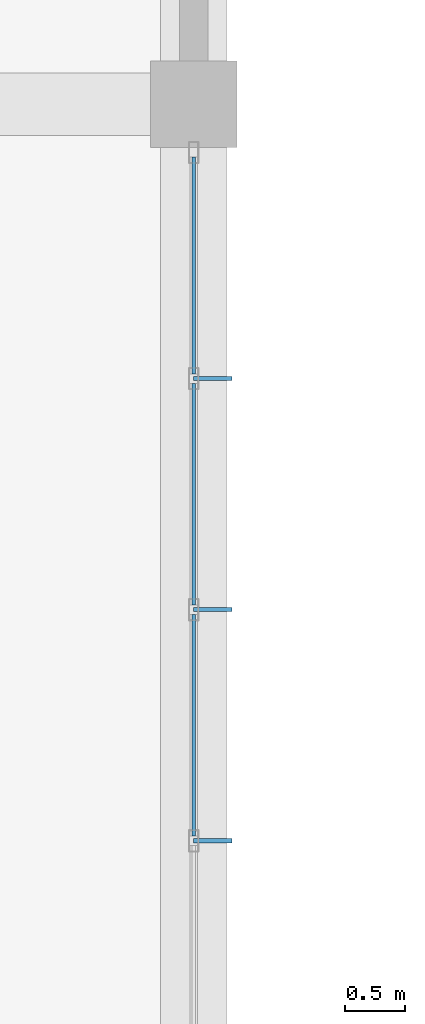
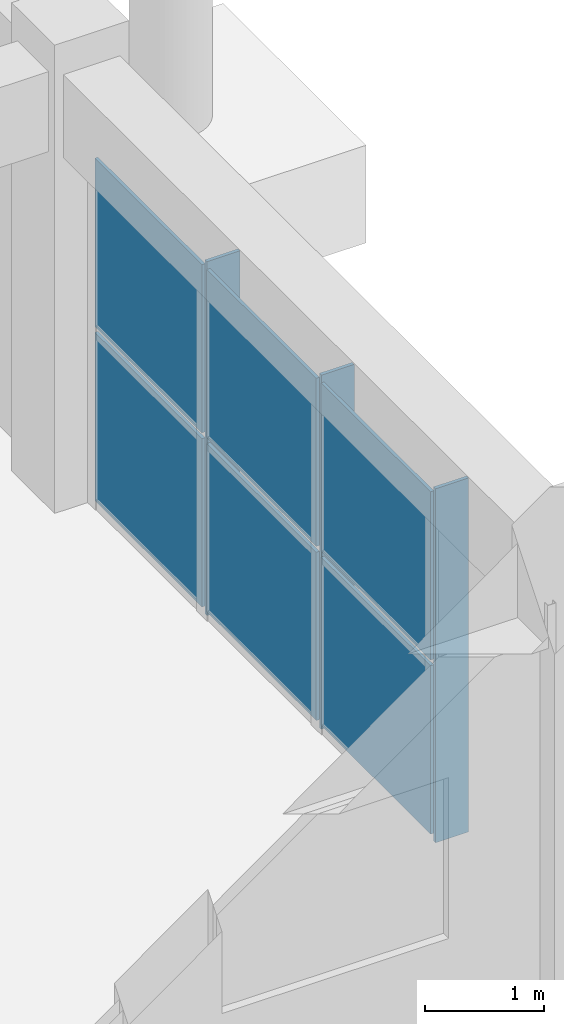
# One storey, part 114 of 139: 9 plates, 1 element without a shape of its own.
"""IFC4 building model written with IfcOpenShell, lengths in metres."""

from ifc_helpers import new_model, si_unit, direction, frame, origin, origin_2d, place, context, subcontext, project, spatial, polyline, rectangle, outline, extrude, material, layer, layer_set, type_object, element, aggregate, save


model = new_model("IFC4")

# Units and contexts
model_context = context("Model", 3, precision=1e-05, world=origin(), true_north=direction((0.0, 1.0)))
body_context = subcontext(model_context, "Body", "Model", "MODEL_VIEW")
ifc_project = project(units=[si_unit("LENGTHUNIT", "METRE"), si_unit("AREAUNIT", "SQUARE_METRE"), si_unit("VOLUMEUNIT", "CUBIC_METRE"), si_unit("PLANEANGLEUNIT", "RADIAN"), si_unit("MASSUNIT", "GRAM", prefix="KILO")], contexts=[model_context])

# Site, building, storey
site_placement = place(None, origin())
site = spatial("IfcSite", under=ifc_project, at=site_placement, CompositionType="ELEMENT")
building_placement = place(site_placement, origin())
building = spatial("IfcBuilding", under=site, at=building_placement, Name="Zizhar Promenade General Hospital", CompositionType="ELEMENT")
storey_placement = place(building_placement, origin())
storey = spatial("IfcBuildingStorey", under=building, at=storey_placement, Name="L00", CompositionType="ELEMENT", Elevation=0.0)

# Curtain wall, plates
ifc_material_1 = material(Name="Anodised aluminium 6063-T6 and low-E glass", Category="aluminium")
ifc_layer_1 = layer(ifc_material_1, 0.159912109375)
ifc_layer_set_1 = layer_set([ifc_layer_1], Name="Anodised aluminium 6063-T6 and low-E glass")
curtain_wall_type = type_object("IfcCurtainWallType", Name="CW-CLN-EXT", PredefinedType="NOTDEFINED", material=ifc_layer_set_1)
curtain_wall_placement = place(storey_placement, origin())
curtain_wall = element("IfcCurtainWall", 1, at=curtain_wall_placement, inside=storey, type_object=curtain_wall_type, Name="Outpatient East Curtain Wall L00-5", PredefinedType="NOTDEFINED")
ifc_material_2 = material(Name="Low-E solar-control glass", Category="glass")
ifc_layer_2 = layer(ifc_material_2, 0.031982421875)
ifc_layer_set_2 = layer_set([ifc_layer_2], Name="Low-E solar-control glass")
plate_type_1 = type_object("IfcPlateType", Name="CWP-GLZ-32", PredefinedType="CURTAIN_PANEL", material=ifc_layer_set_2)
plate_1_placement = place(storey_placement, frame((195.0, 49.06005859375, 0.06005859375), z_axis=(0.0, 0.0, 1.0), x_axis=(0.0, -1.0, 0.0)))
plate_1 = element("IfcPlate", 2, at=plate_1_placement, type_object=plate_type_1, Name="CW-09 panel 1.1", PredefinedType="CURTAIN_PANEL", context=body_context, shape_type="SweptSolid", body=[
    extrude(rectangle(XDim=1.800048828125, YDim=0.031982421875, at=origin_2d()), origin(), (0.0, 0.0, 1.0), 1.72509765625),
])
plate_2_placement = place(storey_placement, frame((195.0, 49.06005859375, 1.844970703125), z_axis=(0.0, 0.0, 1.0), x_axis=(0.0, -1.0, 0.0)))
plate_2 = element("IfcPlate", 3, at=plate_2_placement, type_object=plate_type_1, Name="CW-09 panel 1.2", PredefinedType="CURTAIN_PANEL", context=body_context, shape_type="SweptSolid", body=[
    extrude(rectangle(XDim=1.800048828125, YDim=0.031982421875, at=origin_2d()), origin(), (0.0, 0.0, 1.0), 1.72509765625),
])
plate_3_placement = place(storey_placement, frame((195.0, 47.159912109375, 0.06005859375), z_axis=(0.0, 0.0, 1.0), x_axis=(0.0, -1.0, 0.0)))
plate_3 = element("IfcPlate", 4, at=plate_3_placement, type_object=plate_type_1, Name="CW-09 panel 2.1", PredefinedType="CURTAIN_PANEL", context=body_context, shape_type="SweptSolid", body=[
    extrude(rectangle(XDim=1.840087890625, YDim=0.031982421875, at=origin_2d()), origin(), (0.0, 0.0, 1.0), 1.72509765625),
])
plate_4_placement = place(storey_placement, frame((195.0, 47.159912109375, 1.844970703125), z_axis=(0.0, 0.0, 1.0), x_axis=(0.0, -1.0, 0.0)))
plate_4 = element("IfcPlate", 5, at=plate_4_placement, type_object=plate_type_1, Name="CW-09 panel 2.2", PredefinedType="CURTAIN_PANEL", context=body_context, shape_type="SweptSolid", body=[
    extrude(rectangle(XDim=1.840087890625, YDim=0.031982421875, at=origin_2d()), origin(), (0.0, 0.0, 1.0), 1.72509765625),
])
plate_5_placement = place(storey_placement, frame((195.0, 45.239990234375, 0.06005859375), z_axis=(0.0, 0.0, 1.0), x_axis=(0.0, -1.0, 0.0)))
plate_5 = element("IfcPlate", 6, at=plate_5_placement, type_object=plate_type_1, Name="CW-09 panel 3.1", PredefinedType="CURTAIN_PANEL", context=body_context, shape_type="SweptSolid", body=[
    extrude(rectangle(XDim=1.840087890625, YDim=0.031982421875, at=origin_2d()), origin(), (0.0, 0.0, 1.0), 1.72509765625),
])
plate_6_placement = place(storey_placement, frame((195.0, 45.239990234375, 1.844970703125), z_axis=(0.0, 0.0, 1.0), x_axis=(0.0, -1.0, 0.0)))
plate_6 = element("IfcPlate", 7, at=plate_6_placement, type_object=plate_type_1, Name="CW-09 panel 3.2", PredefinedType="CURTAIN_PANEL", context=body_context, shape_type="SweptSolid", body=[
    extrude(rectangle(XDim=1.840087890625, YDim=0.031982421875, at=origin_2d()), origin(), (0.0, 0.0, 1.0), 1.72509765625),
])
aggregate(curtain_wall, [plate_1, plate_2, plate_3, plate_4, plate_5, plate_6])

# Plates
ifc_material_3 = material(Name="Anodised aluminium 6063-T6", Category="aluminium")
ifc_layer_3 = layer(ifc_material_3, 0.033935546875)
ifc_layer_set_3 = layer_set([ifc_layer_3], Name="Anodised aluminium 6063-T6")
plate_type_2 = type_object("IfcPlateType", Name="FIN-ALU-320", PredefinedType="USERDEFINED", material=ifc_layer_set_3)
plate_7_placement = place(storey_placement, origin())
element("IfcPlate", 8, at=plate_7_placement, inside=storey, type_object=plate_type_2, Name="Outpatient East Curtain Wall L00-5 Solar Fin 1", ObjectType="SOLAR_SHADE", PredefinedType="USERDEFINED", context=body_context, shape_type="SweptSolid", body=[
    extrude(outline(polyline([(195.0, 48.136962890625), (195.0, 48.10302734375), (195.320068359375, 48.10302734375), (195.320068359375, 48.136962890625), (195.0, 48.136962890625)])), origin(), (0.0, 0.0, 1.0), 3.6298828125),
])
plate_8_placement = place(storey_placement, origin())
element("IfcPlate", 9, at=plate_8_placement, inside=storey, type_object=plate_type_2, Name="Outpatient East Curtain Wall L00-5 Solar Fin 2", ObjectType="SOLAR_SHADE", PredefinedType="USERDEFINED", context=body_context, shape_type="SweptSolid", body=[
    extrude(outline(polyline([(195.0, 46.217041015625), (195.0, 46.18310546875), (195.320068359375, 46.18310546875), (195.320068359375, 46.217041015625), (195.0, 46.217041015625)])), origin(), (0.0, 0.0, 1.0), 3.6298828125),
])
plate_9_placement = place(storey_placement, origin())
element("IfcPlate", 10, at=plate_9_placement, inside=storey, type_object=plate_type_2, Name="Outpatient East Curtain Wall L00-5 Solar Fin 3", ObjectType="SOLAR_SHADE", PredefinedType="USERDEFINED", context=body_context, shape_type="SweptSolid", body=[
    extrude(outline(polyline([(195.0, 44.297119140625), (195.0, 44.262939453125), (195.320068359375, 44.262939453125), (195.320068359375, 44.297119140625), (195.0, 44.297119140625)])), origin(), (0.0, 0.0, 1.0), 3.6298828125),
])

save(model, "model.ifc")
